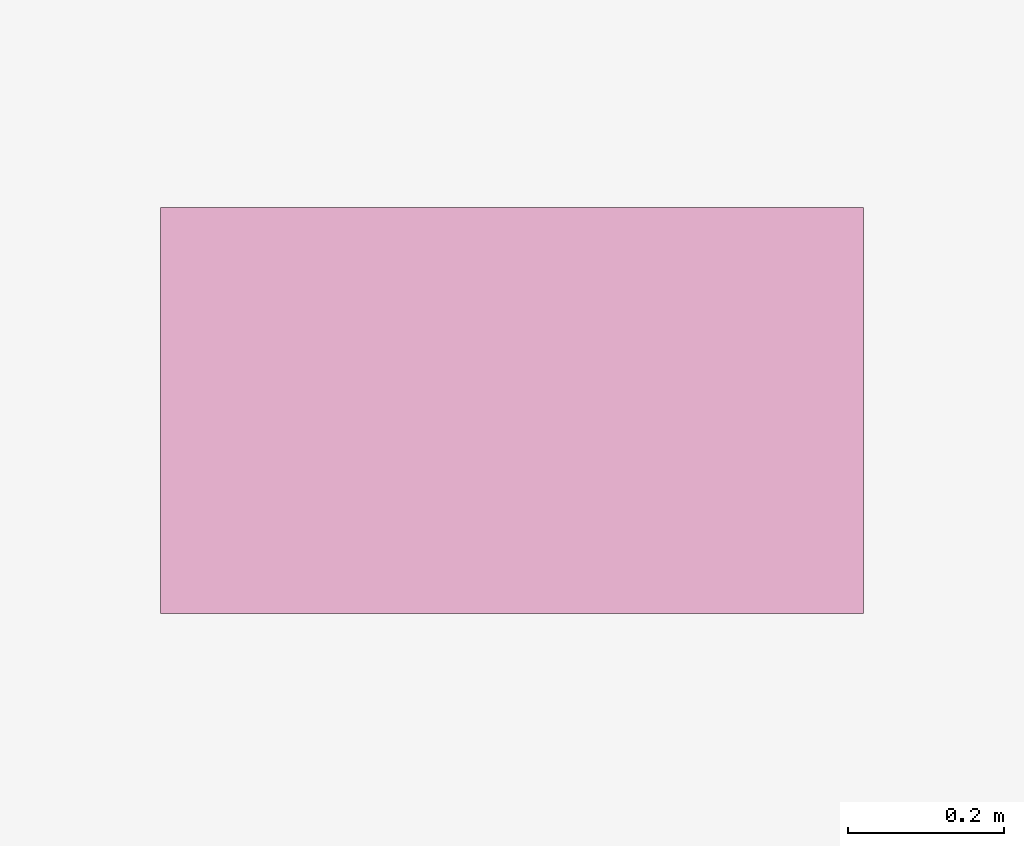
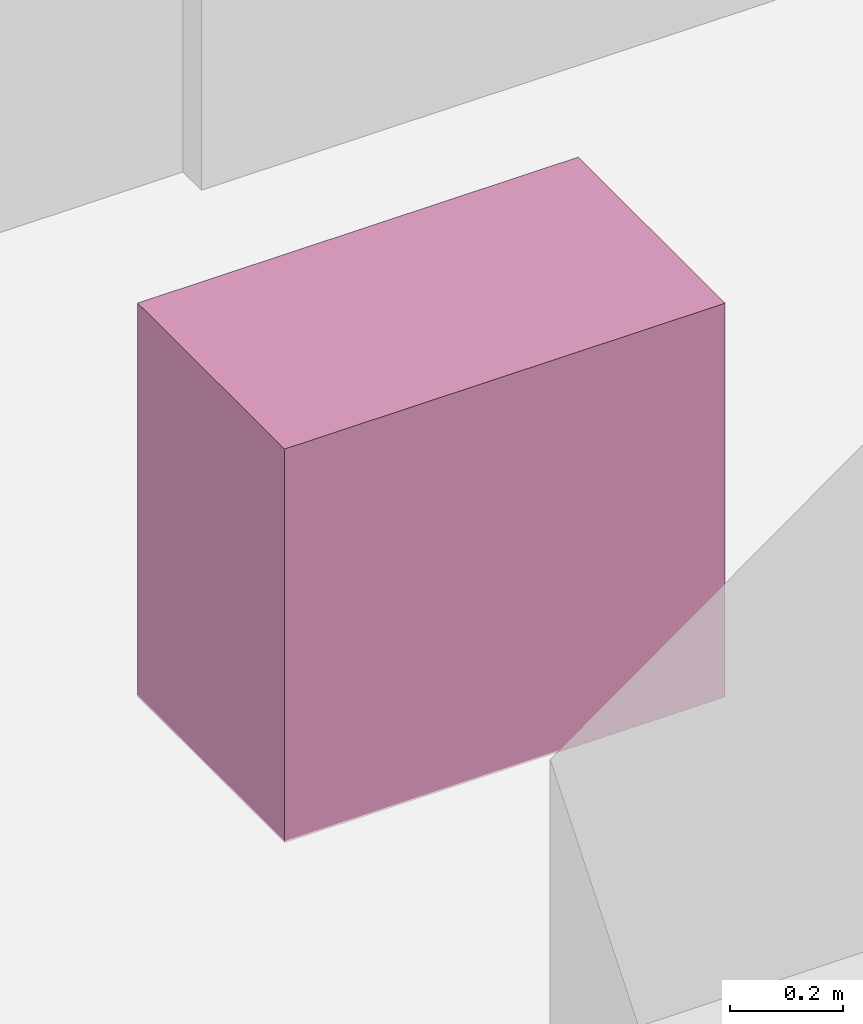
# One storey, part 30 of 30: 1 furnishing.
"""IFC4 building model written with IfcOpenShell, lengths in metres."""

import ifcopenshell
import ifcopenshell.guid

model = None  # the IFC model being written
_history = None  # IfcOwnerHistory: only IFC2X3 demands one
_inside = {}  # id of a spatial element -> (the spatial element, [elements in it])
_under = {}  # id of a project, library or spatial element -> (it, [spatial elements below it])
_declared = {}  # id of a project -> (the project, [libraries it declares])
_typed = {}  # id of a type object -> (the type object, [elements of that type])
_made_of = {}  # id of a material, layer set ... -> (it, [elements and type objects made of it])


def new_model(schema):
    """Start an empty IFC model of exactly this schema.

    Asked for "IFC4X3", IfcOpenShell would pick the latest addendum, in which some entities
    have other attributes; the version numbers below select the first issue.
    IFC2X3 requires an IfcOwnerHistory on every rooted entity: one is made here for all.
    """
    global model, _history
    if schema == "IFC4X3":
        model = ifcopenshell.file(schema_version=(4, 3, 0, 0))
    else:
        model = ifcopenshell.file(schema=schema)
    _inside.clear()
    _under.clear()
    _declared.clear()
    _typed.clear()
    _made_of.clear()
    _history = None
    if model.schema == "IFC2X3":
        org = make("IfcOrganization", Name="unknown")
        user = make(
            "IfcPersonAndOrganization",
            ThePerson=make("IfcPerson", FamilyName="unknown"),
            TheOrganization=org,
        )
        app = make(
            "IfcApplication",
            ApplicationDeveloper=org,
            Version="unknown",
            ApplicationFullName="unknown",
            ApplicationIdentifier="unknown",
        )
        _history = make(
            "IfcOwnerHistory",
            OwningUser=user,
            OwningApplication=app,
            ChangeAction="ADDED",
            CreationDate=0,
        )
    return model


def make(cls, **values):
    """One entity of the class cls with the attributes given. An attribute that is None is left unset."""
    return model.create_entity(
        cls, **{name: value for name, value in values.items() if value is not None}
    )


def rooted(cls, **values):
    """An entity with a GlobalId (a new one), such as an element, a storey or a relation."""
    return make(cls, GlobalId=ifcopenshell.guid.new(), OwnerHistory=_history, **values)


def si_unit(unit_type, name, prefix=None):
    """IfcSIUnit, for example si_unit("LENGTHUNIT", "METRE", prefix="MILLI")."""
    return make("IfcSIUnit", UnitType=unit_type, Prefix=prefix, Name=name)


def assignment(units):
    """IfcUnitAssignment: the units of a project."""
    return None if units is None else make("IfcUnitAssignment", Units=units)


def point(xyz):
    """IfcCartesianPoint."""
    return None if xyz is None else make("IfcCartesianPoint", Coordinates=xyz)


def direction(xyz):
    """IfcDirection."""
    return None if xyz is None else make("IfcDirection", DirectionRatios=xyz)


def frame(location, z_axis=None, x_axis=None):
    """IfcAxis2Placement3D, a coordinate frame: its origin and axes. An axis left out is left unset."""
    return make(
        "IfcAxis2Placement3D",
        Location=point(location),
        Axis=direction(z_axis),
        RefDirection=direction(x_axis),
    )


def frame_2d(location, x_axis=None):
    """IfcAxis2Placement2D, a coordinate frame in the plane: its origin and x axis."""
    return make(
        "IfcAxis2Placement2D", Location=point(location), RefDirection=direction(x_axis)
    )


def origin():
    """The frame at (0, 0, 0) with its axes left unset."""
    return frame((0.0, 0.0, 0.0))


def origin_2d():
    """The frame at (0, 0) in the plane with its x axis left unset."""
    return frame_2d((0.0, 0.0))


def place(relative_to, where):
    """IfcLocalPlacement: puts the frame where relative to a parent placement (None: the world)."""
    return make(
        "IfcLocalPlacement", PlacementRelTo=relative_to, RelativePlacement=where
    )


def context(
    kind, dimensions, precision=None, world=None, true_north=None, identifier=None
):
    """IfcGeometricRepresentationContext, for example the 3D "Model" context."""
    return make(
        "IfcGeometricRepresentationContext",
        ContextIdentifier=identifier,
        ContextType=kind,
        CoordinateSpaceDimension=dimensions,
        Precision=precision,
        WorldCoordinateSystem=world,
        TrueNorth=true_north,
    )


def subcontext(parent, identifier, kind, view, scale=None):
    """IfcGeometricRepresentationSubContext, for example "Body" below "Model"."""
    return make(
        "IfcGeometricRepresentationSubContext",
        ContextIdentifier=identifier,
        ContextType=kind,
        ParentContext=parent,
        TargetScale=scale,
        TargetView=view,
    )


def project(units=None, contexts=None):
    """IfcProject with its units and contexts."""
    return rooted(
        "IfcProject",
        Name="project",
        RepresentationContexts=contexts,
        UnitsInContext=assignment(units),
    )


def spatial(cls, under=None, at=None, **own):
    """A site, building, storey or space (cls), placed at a placement, below another one or the project."""
    s = rooted(cls, ObjectPlacement=at, **own)
    if under is not None:
        _under.setdefault(under.id(), (under, []))[1].append(s)
    return s


def profile(cls, at=None, kind="AREA", **sizes):
    """A parametric profile (cls). Its sizes go by their IFC names, for example OverallWidth=200.0."""
    return make(cls, ProfileType=kind, Position=at, **sizes)


def rectangle(**sizes):
    """IfcRectangleProfileDef."""
    return profile("IfcRectangleProfileDef", **sizes)


def extrude(swept, where, along, depth):
    """IfcExtrudedAreaSolid: the profile swept, set in the frame where, extruded along a direction by depth."""
    return make(
        "IfcExtrudedAreaSolid",
        SweptArea=swept,
        Position=where,
        ExtrudedDirection=direction(along),
        Depth=depth,
    )


def shape(context_of_items, identifier, shape_type, items):
    """IfcShapeRepresentation: the items that make up one representation, for example the "Body"."""
    return make(
        "IfcShapeRepresentation",
        ContextOfItems=context_of_items,
        RepresentationIdentifier=identifier,
        RepresentationType=shape_type,
        Items=items,
    )


def material(Name=None, Category=None):
    """IfcMaterial."""
    return make("IfcMaterial", Name=Name, Category=Category)


def made_of(thing, what):
    """Note that an element or type object is made of a material, layer set ...; save() writes the relation."""
    if what is not None:
        _made_of.setdefault(what.id(), (what, []))[1].append(thing)
    return thing


def type_object(cls, material=None, **own):
    """A type object (cls), such as IfcWallType, which elements share."""
    return made_of(rooted(cls, **own), material)


def element(
    cls,
    number,
    at=None,
    inside=None,
    cuts=None,
    type_object=None,
    material=None,
    context=None,
    identifier="Body",
    shape_type=None,
    held_by="IfcProductDefinitionShape",
    body=None,
    shapes=None,
    **own,
):
    """One element of the class cls, such as IfcWall. Its Tag is "e" and its number.

    at: its placement. inside: the storey or other place that contains it. cuts: it is an
    opening in that element (IfcRelVoidsElement). A single representation is given by context,
    identifier, shape_type and body (its items); several are given by shapes. held_by: the class
    of the entity that holds the representations. save() writes the other relations.
    """
    e = rooted(cls, Tag="e%d" % number, ObjectPlacement=at, **own)
    if body is not None:
        shapes = [shape(context, identifier, shape_type, body)]
    if shapes is not None:
        e.Representation = make(held_by, Representations=shapes)
    if inside is not None:
        _inside.setdefault(inside.id(), (inside, []))[1].append(e)
    if cuts is not None:
        rooted(
            "IfcRelVoidsElement", RelatingBuildingElement=cuts, RelatedOpeningElement=e
        )
    if type_object is not None:
        _typed.setdefault(type_object.id(), (type_object, []))[1].append(e)
    return made_of(e, material)


def aggregate(whole, parts):
    """IfcRelAggregates: a whole, such as a stair, and the parts it consists of."""
    return rooted("IfcRelAggregates", RelatingObject=whole, RelatedObjects=parts)


def save(model, path):
    """Write the relations noted so far, then the file.

    IfcRelAggregates (storeys below a building ...), IfcRelContainedInSpatialStructure (elements
    in a storey), IfcRelDefinesByType, IfcRelAssociatesMaterial and IfcRelDeclares: one each for
    every whole, place, type object, material and project.
    """
    for whole, parts in _under.values():
        aggregate(whole, parts)
    for where, things in _inside.values():
        rooted(
            "IfcRelContainedInSpatialStructure",
            RelatedElements=things,
            RelatingStructure=where,
        )
    for kind, things in _typed.values():
        rooted("IfcRelDefinesByType", RelatedObjects=things, RelatingType=kind)
    for what, things in _made_of.values():
        rooted("IfcRelAssociatesMaterial", RelatedObjects=things, RelatingMaterial=what)
    for by, libraries in _declared.values():
        rooted("IfcRelDeclares", RelatingContext=by, RelatedDefinitions=libraries)
    model.write(path)


model = new_model("IFC4")

# Units and contexts
model_context = context("Model", 3, precision=1e-05, world=origin(), true_north=direction((0.0, 1.0)))
body_context = subcontext(model_context, "Body", "Model", "MODEL_VIEW")
ifc_project = project(units=[si_unit("LENGTHUNIT", "METRE"), si_unit("AREAUNIT", "SQUARE_METRE"), si_unit("VOLUMEUNIT", "CUBIC_METRE"), si_unit("PLANEANGLEUNIT", "RADIAN"), si_unit("MASSUNIT", "GRAM", prefix="KILO")], contexts=[model_context])

# Site, building, storey
site_placement = place(None, origin())
site = spatial("IfcSite", under=ifc_project, at=site_placement, CompositionType="ELEMENT")
building_placement = place(site_placement, origin())
building = spatial("IfcBuilding", under=site, at=building_placement, Name="Vorneva Point Tower", CompositionType="ELEMENT")
storey_placement = place(building_placement, frame((0.0, 0.0, 241.35009765625)))
storey = spatial("IfcBuildingStorey", under=building, at=storey_placement, Name="L65", CompositionType="ELEMENT", Elevation=241.35009765625)

# Furnishing
ifc_material = material(Name="Vitreous china and granite top", Category="masonry")
furniture_type = type_object("IfcFurnitureType", Name="FUR-VAN-900", AssemblyPlace="NOTDEFINED", PredefinedType="NOTDEFINED", material=ifc_material)
furnishing_placement = place(storey_placement, frame((35.425048828125, 32.1201171875, -0.005126953125), z_axis=(0.0, 0.0, 1.0), x_axis=(1.0, 0.0, 0.0)))
element("IfcFurnishingElement", 1, at=furnishing_placement, inside=storey, type_object=furniture_type, Name="L65 Accessible WC Vanity Unit", ObjectType="L65 Accessible WC Vanity Unit", context=body_context, shape_type="SweptSolid", body=[
    extrude(rectangle(XDim=0.89990234375, YDim=0.52001953125, at=origin_2d()), origin(), (0.0, 0.0, 1.0), 0.85009765625),
])

save(model, "model.ifc")
